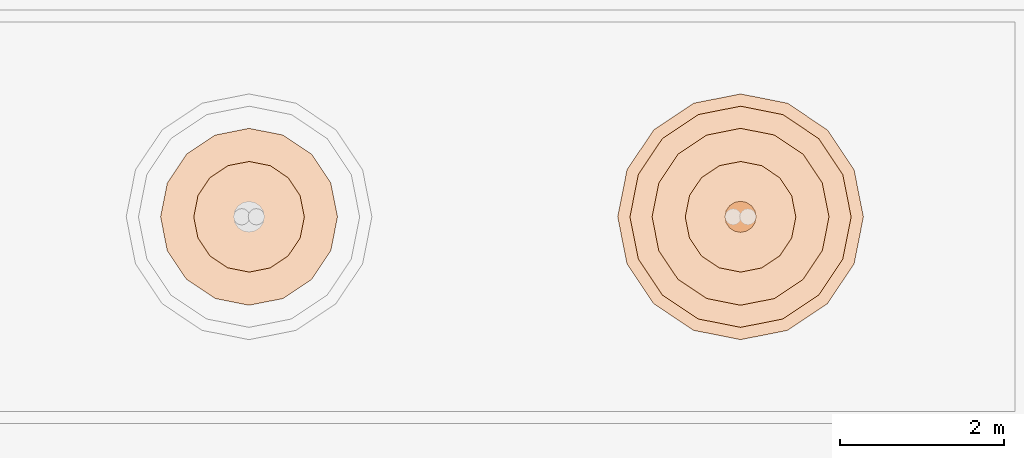
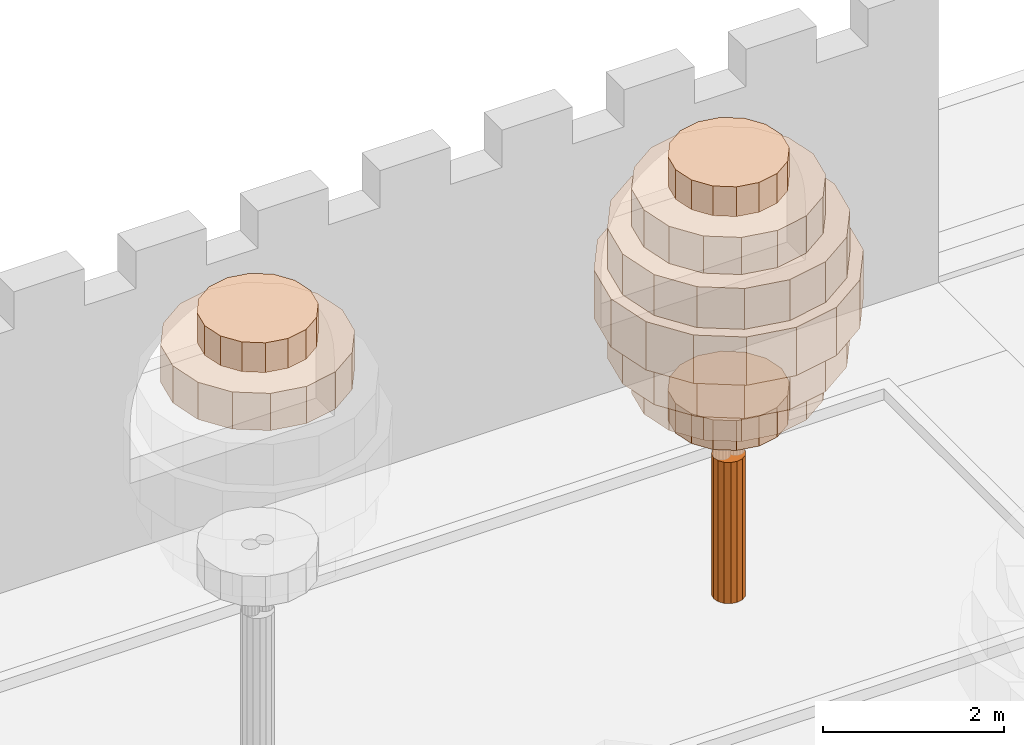
# One storey, part 248 of 250: 10 geographic elements.
"""IFC4 building model written with IfcOpenShell, lengths in metres."""

import ifcopenshell
import ifcopenshell.guid

model = None  # the IFC model being written
_history = None  # IfcOwnerHistory: only IFC2X3 demands one
_inside = {}  # id of a spatial element -> (the spatial element, [elements in it])
_under = {}  # id of a project, library or spatial element -> (it, [spatial elements below it])
_declared = {}  # id of a project -> (the project, [libraries it declares])
_typed = {}  # id of a type object -> (the type object, [elements of that type])
_made_of = {}  # id of a material, layer set ... -> (it, [elements and type objects made of it])


def new_model(schema):
    """Start an empty IFC model of exactly this schema.

    Asked for "IFC4X3", IfcOpenShell would pick the latest addendum, in which some entities
    have other attributes; the version numbers below select the first issue.
    IFC2X3 requires an IfcOwnerHistory on every rooted entity: one is made here for all.
    """
    global model, _history
    if schema == "IFC4X3":
        model = ifcopenshell.file(schema_version=(4, 3, 0, 0))
    else:
        model = ifcopenshell.file(schema=schema)
    _inside.clear()
    _under.clear()
    _declared.clear()
    _typed.clear()
    _made_of.clear()
    _history = None
    if model.schema == "IFC2X3":
        org = make("IfcOrganization", Name="unknown")
        user = make(
            "IfcPersonAndOrganization",
            ThePerson=make("IfcPerson", FamilyName="unknown"),
            TheOrganization=org,
        )
        app = make(
            "IfcApplication",
            ApplicationDeveloper=org,
            Version="unknown",
            ApplicationFullName="unknown",
            ApplicationIdentifier="unknown",
        )
        _history = make(
            "IfcOwnerHistory",
            OwningUser=user,
            OwningApplication=app,
            ChangeAction="ADDED",
            CreationDate=0,
        )
    return model


def make(cls, **values):
    """One entity of the class cls with the attributes given. An attribute that is None is left unset."""
    return model.create_entity(
        cls, **{name: value for name, value in values.items() if value is not None}
    )


def rooted(cls, **values):
    """An entity with a GlobalId (a new one), such as an element, a storey or a relation."""
    return make(cls, GlobalId=ifcopenshell.guid.new(), OwnerHistory=_history, **values)


def si_unit(unit_type, name, prefix=None):
    """IfcSIUnit, for example si_unit("LENGTHUNIT", "METRE", prefix="MILLI")."""
    return make("IfcSIUnit", UnitType=unit_type, Prefix=prefix, Name=name)


def assignment(units):
    """IfcUnitAssignment: the units of a project."""
    return None if units is None else make("IfcUnitAssignment", Units=units)


def point(xyz):
    """IfcCartesianPoint."""
    return None if xyz is None else make("IfcCartesianPoint", Coordinates=xyz)


def direction(xyz):
    """IfcDirection."""
    return None if xyz is None else make("IfcDirection", DirectionRatios=xyz)


def frame(location, z_axis=None, x_axis=None):
    """IfcAxis2Placement3D, a coordinate frame: its origin and axes. An axis left out is left unset."""
    return make(
        "IfcAxis2Placement3D",
        Location=point(location),
        Axis=direction(z_axis),
        RefDirection=direction(x_axis),
    )


def origin():
    """The frame at (0, 0, 0) with its axes left unset."""
    return frame((0.0, 0.0, 0.0))


def place(relative_to, where):
    """IfcLocalPlacement: puts the frame where relative to a parent placement (None: the world)."""
    return make(
        "IfcLocalPlacement", PlacementRelTo=relative_to, RelativePlacement=where
    )


def context(
    kind, dimensions, precision=None, world=None, true_north=None, identifier=None
):
    """IfcGeometricRepresentationContext, for example the 3D "Model" context."""
    return make(
        "IfcGeometricRepresentationContext",
        ContextIdentifier=identifier,
        ContextType=kind,
        CoordinateSpaceDimension=dimensions,
        Precision=precision,
        WorldCoordinateSystem=world,
        TrueNorth=true_north,
    )


def subcontext(parent, identifier, kind, view, scale=None):
    """IfcGeometricRepresentationSubContext, for example "Body" below "Model"."""
    return make(
        "IfcGeometricRepresentationSubContext",
        ContextIdentifier=identifier,
        ContextType=kind,
        ParentContext=parent,
        TargetScale=scale,
        TargetView=view,
    )


def project(units=None, contexts=None):
    """IfcProject with its units and contexts."""
    return rooted(
        "IfcProject",
        Name="project",
        RepresentationContexts=contexts,
        UnitsInContext=assignment(units),
    )


def spatial(cls, under=None, at=None, **own):
    """A site, building, storey or space (cls), placed at a placement, below another one or the project."""
    s = rooted(cls, ObjectPlacement=at, **own)
    if under is not None:
        _under.setdefault(under.id(), (under, []))[1].append(s)
    return s


def polyline(points):
    """IfcPolyline through the points."""
    return make("IfcPolyline", Points=[point(p) for p in points])


def outline(outer, holes=None, kind="AREA"):
    """IfcArbitraryClosedProfileDef: a profile drawn as a closed curve; with holes, ...WithVoids."""
    if holes is None:
        return make("IfcArbitraryClosedProfileDef", ProfileType=kind, OuterCurve=outer)
    return make(
        "IfcArbitraryProfileDefWithVoids",
        ProfileType=kind,
        OuterCurve=outer,
        InnerCurves=holes,
    )


def extrude(swept, where, along, depth):
    """IfcExtrudedAreaSolid: the profile swept, set in the frame where, extruded along a direction by depth."""
    return make(
        "IfcExtrudedAreaSolid",
        SweptArea=swept,
        Position=where,
        ExtrudedDirection=direction(along),
        Depth=depth,
    )


def shape(context_of_items, identifier, shape_type, items):
    """IfcShapeRepresentation: the items that make up one representation, for example the "Body"."""
    return make(
        "IfcShapeRepresentation",
        ContextOfItems=context_of_items,
        RepresentationIdentifier=identifier,
        RepresentationType=shape_type,
        Items=items,
    )


def material(Name=None, Category=None):
    """IfcMaterial."""
    return make("IfcMaterial", Name=Name, Category=Category)


def made_of(thing, what):
    """Note that an element or type object is made of a material, layer set ...; save() writes the relation."""
    if what is not None:
        _made_of.setdefault(what.id(), (what, []))[1].append(thing)
    return thing


def type_object(cls, material=None, **own):
    """A type object (cls), such as IfcWallType, which elements share."""
    return made_of(rooted(cls, **own), material)


def element(
    cls,
    number,
    at=None,
    inside=None,
    cuts=None,
    type_object=None,
    material=None,
    context=None,
    identifier="Body",
    shape_type=None,
    held_by="IfcProductDefinitionShape",
    body=None,
    shapes=None,
    **own,
):
    """One element of the class cls, such as IfcWall. Its Tag is "e" and its number.

    at: its placement. inside: the storey or other place that contains it. cuts: it is an
    opening in that element (IfcRelVoidsElement). A single representation is given by context,
    identifier, shape_type and body (its items); several are given by shapes. held_by: the class
    of the entity that holds the representations. save() writes the other relations.
    """
    e = rooted(cls, Tag="e%d" % number, ObjectPlacement=at, **own)
    if body is not None:
        shapes = [shape(context, identifier, shape_type, body)]
    if shapes is not None:
        e.Representation = make(held_by, Representations=shapes)
    if inside is not None:
        _inside.setdefault(inside.id(), (inside, []))[1].append(e)
    if cuts is not None:
        rooted(
            "IfcRelVoidsElement", RelatingBuildingElement=cuts, RelatedOpeningElement=e
        )
    if type_object is not None:
        _typed.setdefault(type_object.id(), (type_object, []))[1].append(e)
    return made_of(e, material)


def aggregate(whole, parts):
    """IfcRelAggregates: a whole, such as a stair, and the parts it consists of."""
    return rooted("IfcRelAggregates", RelatingObject=whole, RelatedObjects=parts)


def save(model, path):
    """Write the relations noted so far, then the file.

    IfcRelAggregates (storeys below a building ...), IfcRelContainedInSpatialStructure (elements
    in a storey), IfcRelDefinesByType, IfcRelAssociatesMaterial and IfcRelDeclares: one each for
    every whole, place, type object, material and project.
    """
    for whole, parts in _under.values():
        aggregate(whole, parts)
    for where, things in _inside.values():
        rooted(
            "IfcRelContainedInSpatialStructure",
            RelatedElements=things,
            RelatingStructure=where,
        )
    for kind, things in _typed.values():
        rooted("IfcRelDefinesByType", RelatedObjects=things, RelatingType=kind)
    for what, things in _made_of.values():
        rooted("IfcRelAssociatesMaterial", RelatedObjects=things, RelatingMaterial=what)
    for by, libraries in _declared.values():
        rooted("IfcRelDeclares", RelatingContext=by, RelatedDefinitions=libraries)
    model.write(path)


model = new_model("IFC4")

# Units and contexts
model_context = context("Model", 3, precision=1e-05, world=origin(), true_north=direction((0.0, 1.0)))
body_context = subcontext(model_context, "Body", "Model", "MODEL_VIEW")
ifc_project = project(units=[si_unit("LENGTHUNIT", "METRE"), si_unit("AREAUNIT", "SQUARE_METRE"), si_unit("VOLUMEUNIT", "CUBIC_METRE"), si_unit("PLANEANGLEUNIT", "RADIAN"), si_unit("MASSUNIT", "GRAM", prefix="KILO")], contexts=[model_context])

# Site, building, storey
site_placement = place(None, origin())
site = spatial("IfcSite", under=ifc_project, at=site_placement, CompositionType="ELEMENT")
building_placement = place(site_placement, origin())
building = spatial("IfcBuilding", under=site, at=building_placement, Name="Baradari Gate Terminus", CompositionType="ELEMENT")
storey_placement = place(building_placement, origin())
storey = spatial("IfcBuildingStorey", under=building, at=storey_placement, Name="L00", CompositionType="ELEMENT", Elevation=0.0)

# Geographic elements
ifc_material_1 = material(Name="Planted foliage, green")
geographic_element_type_1 = type_object("IfcGeographicElementType", Name="Garden tree crown, belly layer TR-9 2700x550", PredefinedType="USERDEFINED", material=ifc_material_1)
for number, where, name in (
    (1, (0.0, 0.0, 3.300048828125), "Garden tree 12 crown 3"),
    (2, (0.0, 0.0, 4.5), "Garden tree 12 crown 5"),
):
    element("IfcGeographicElement", number, at=place(storey_placement, frame(where)), inside=storey, type_object=geographic_element_type_1, Name=name, ObjectType="TREE", PredefinedType="USERDEFINED", context=body_context, shape_type="SweptSolid", body=[
        extrude(outline(polyline([(179.35009765625, 145.574951171875), (179.247314453125, 146.091552734375), (178.95458984375, 146.529541015625), (178.5166015625, 146.822265625), (178.0, 146.925048828125), (177.4833984375, 146.822265625), (177.04541015625, 146.529541015625), (176.752685546875, 146.091552734375), (176.64990234375, 145.574951171875), (176.752685546875, 145.058349609375), (177.04541015625, 144.620361328125), (177.4833984375, 144.327880859375), (178.0, 144.22509765625), (178.5166015625, 144.327880859375), (178.95458984375, 144.620361328125), (179.247314453125, 145.058349609375), (179.35009765625, 145.574951171875)])), origin(), (0.0, 0.0, 1.0), 0.550048828125),
    ])
ifc_material_2 = material(Name="Planted foliage, green")
geographic_element_type_2 = type_object("IfcGeographicElementType", Name="Garden tree crown, core layer TR-10 3000x650", PredefinedType="USERDEFINED", material=ifc_material_2)
geographic_element_1_placement = place(storey_placement, frame((0.0, 0.0, 3.85009765625)))
element("IfcGeographicElement", 3, at=geographic_element_1_placement, inside=storey, type_object=geographic_element_type_2, Name="Garden tree 12 crown 4", ObjectType="TREE", PredefinedType="USERDEFINED", context=body_context, shape_type="SweptSolid", body=[
    extrude(outline(polyline([(179.5, 145.574951171875), (179.3857421875, 146.14892578125), (179.060546875, 146.6357421875), (178.573974609375, 146.9609375), (178.0, 147.074951171875), (177.426025390625, 146.9609375), (176.939453125, 146.6357421875), (176.6142578125, 146.14892578125), (176.5, 145.574951171875), (176.6142578125, 145.0009765625), (176.939453125, 144.514404296875), (177.426025390625, 144.189208984375), (178.0, 144.074951171875), (178.573974609375, 144.189208984375), (179.060546875, 144.514404296875), (179.3857421875, 145.0009765625), (179.5, 145.574951171875)])), origin(), (0.0, 0.0, 1.0), 0.64990234375),
])
ifc_material_3 = material(Name="Planted foliage, green")
geographic_element_type_3 = type_object("IfcGeographicElementType", Name="Garden tree crown, rim layer TR-7 1350x400", PredefinedType="USERDEFINED", material=ifc_material_3)
geographic_element_2_placement = place(storey_placement, frame((0.0, 0.0, 5.550048828125)))
element("IfcGeographicElement", 4, at=geographic_element_2_placement, inside=storey, type_object=geographic_element_type_3, Name="Garden tree 11 crown 7", ObjectType="TREE", PredefinedType="USERDEFINED", context=body_context, shape_type="SweptSolid", body=[
    extrude(outline(polyline([(172.675048828125, 145.574951171875), (172.62353515625, 145.833251953125), (172.477294921875, 146.05224609375), (172.25830078125, 146.19873046875), (172.0, 146.25), (171.74169921875, 146.19873046875), (171.522705078125, 146.05224609375), (171.37646484375, 145.833251953125), (171.324951171875, 145.574951171875), (171.37646484375, 145.316650390625), (171.522705078125, 145.09765625), (171.74169921875, 144.951416015625), (172.0, 144.89990234375), (172.25830078125, 144.951416015625), (172.477294921875, 145.09765625), (172.62353515625, 145.316650390625), (172.675048828125, 145.574951171875)])), origin(), (0.0, 0.0, 1.0), 0.39990234375),
])
geographic_element_3_placement = place(storey_placement, frame((0.0, 0.0, 2.39990234375)))
element("IfcGeographicElement", 5, at=geographic_element_3_placement, inside=storey, type_object=geographic_element_type_3, Name="Garden tree 12 crown 1", ObjectType="TREE", PredefinedType="USERDEFINED", context=body_context, shape_type="SweptSolid", body=[
    extrude(outline(polyline([(178.675048828125, 145.574951171875), (178.62353515625, 145.833251953125), (178.477294921875, 146.05224609375), (178.25830078125, 146.19873046875), (178.0, 146.25), (177.74169921875, 146.19873046875), (177.522705078125, 146.05224609375), (177.37646484375, 145.833251953125), (177.324951171875, 145.574951171875), (177.37646484375, 145.316650390625), (177.522705078125, 145.09765625), (177.74169921875, 144.951416015625), (178.0, 144.89990234375), (178.25830078125, 144.951416015625), (178.477294921875, 145.09765625), (178.62353515625, 145.316650390625), (178.675048828125, 145.574951171875)])), origin(), (0.0, 0.0, 1.0), 0.400146484375),
])
geographic_element_4_placement = place(storey_placement, frame((0.0, 0.0, 5.550048828125)))
element("IfcGeographicElement", 6, at=geographic_element_4_placement, inside=storey, type_object=geographic_element_type_3, Name="Garden tree 12 crown 7", ObjectType="TREE", PredefinedType="USERDEFINED", context=body_context, shape_type="SweptSolid", body=[
    extrude(outline(polyline([(178.675048828125, 145.574951171875), (178.62353515625, 145.833251953125), (178.477294921875, 146.05224609375), (178.25830078125, 146.19873046875), (178.0, 146.25), (177.74169921875, 146.19873046875), (177.522705078125, 146.05224609375), (177.37646484375, 145.833251953125), (177.324951171875, 145.574951171875), (177.37646484375, 145.316650390625), (177.522705078125, 145.09765625), (177.74169921875, 144.951416015625), (178.0, 144.89990234375), (178.25830078125, 144.951416015625), (178.477294921875, 145.09765625), (178.62353515625, 145.316650390625), (178.675048828125, 145.574951171875)])), origin(), (0.0, 0.0, 1.0), 0.39990234375),
])
ifc_material_4 = material(Name="Planted foliage, green")
geographic_element_type_4 = type_object("IfcGeographicElementType", Name="Garden tree crown, shoulder layer TR-8 2160x500", PredefinedType="USERDEFINED", material=ifc_material_4)
geographic_element_5_placement = place(storey_placement, frame((0.0, 0.0, 5.050048828125)))
element("IfcGeographicElement", 7, at=geographic_element_5_placement, inside=storey, type_object=geographic_element_type_4, Name="Garden tree 11 crown 6", ObjectType="TREE", PredefinedType="USERDEFINED", context=body_context, shape_type="SweptSolid", body=[
    extrude(outline(polyline([(173.080078125, 145.574951171875), (172.997802734375, 145.98828125), (172.763671875, 146.338623046875), (172.413330078125, 146.57275390625), (172.0, 146.655029296875), (171.586669921875, 146.57275390625), (171.236328125, 146.338623046875), (171.002197265625, 145.98828125), (170.919921875, 145.574951171875), (171.002197265625, 145.16162109375), (171.236328125, 144.811279296875), (171.586669921875, 144.5771484375), (172.0, 144.4951171875), (172.413330078125, 144.5771484375), (172.763671875, 144.811279296875), (172.997802734375, 145.16162109375), (173.080078125, 145.574951171875)])), origin(), (0.0, 0.0, 1.0), 0.5),
])
for number, where, name in (
    (8, (0.0, 0.0, 2.800048828125), "Garden tree 12 crown 2"),
    (9, (0.0, 0.0, 5.050048828125), "Garden tree 12 crown 6"),
):
    element("IfcGeographicElement", number, at=place(storey_placement, frame(where)), inside=storey, type_object=geographic_element_type_4, Name=name, ObjectType="TREE", PredefinedType="USERDEFINED", context=body_context, shape_type="SweptSolid", body=[
        extrude(outline(polyline([(179.080078125, 145.574951171875), (178.997802734375, 145.98828125), (178.763671875, 146.338623046875), (178.413330078125, 146.57275390625), (178.0, 146.655029296875), (177.586669921875, 146.57275390625), (177.236328125, 146.338623046875), (177.002197265625, 145.98828125), (176.919921875, 145.574951171875), (177.002197265625, 145.16162109375), (177.236328125, 144.811279296875), (177.586669921875, 144.5771484375), (178.0, 144.4951171875), (178.413330078125, 144.5771484375), (178.763671875, 144.811279296875), (178.997802734375, 145.16162109375), (179.080078125, 145.574951171875)])), origin(), (0.0, 0.0, 1.0), 0.5),
    ])
ifc_material_5 = material(Name="Timber, hardwood", Category="wood")
geographic_element_type_5 = type_object("IfcGeographicElementType", Name="Garden tree trunk TR-6 380x1900", PredefinedType="USERDEFINED", material=ifc_material_5)
geographic_element_6_placement = place(storey_placement, origin())
element("IfcGeographicElement", 10, at=geographic_element_6_placement, inside=storey, type_object=geographic_element_type_5, Name="Garden tree 12 trunk", ObjectType="TREE", PredefinedType="USERDEFINED", context=body_context, shape_type="SweptSolid", body=[
    extrude(outline(polyline([(178.18994140625, 145.574951171875), (178.175537109375, 145.647705078125), (178.13427734375, 145.709228515625), (178.07275390625, 145.75048828125), (178.0, 145.764892578125), (177.92724609375, 145.75048828125), (177.86572265625, 145.709228515625), (177.824462890625, 145.647705078125), (177.81005859375, 145.574951171875), (177.824462890625, 145.502197265625), (177.86572265625, 145.440673828125), (177.92724609375, 145.3994140625), (178.0, 145.385009765625), (178.07275390625, 145.3994140625), (178.13427734375, 145.440673828125), (178.175537109375, 145.502197265625), (178.18994140625, 145.574951171875)])), origin(), (0.0, 0.0, 1.0), 1.89990234375),
])

save(model, "model.ifc")
